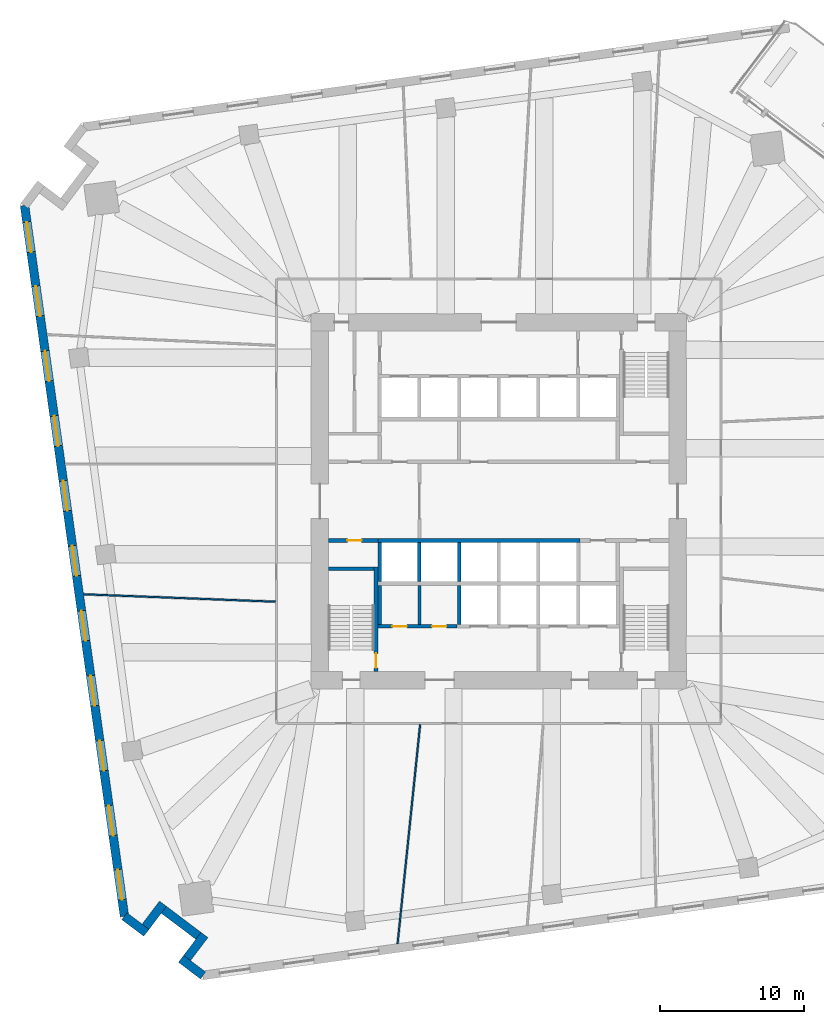
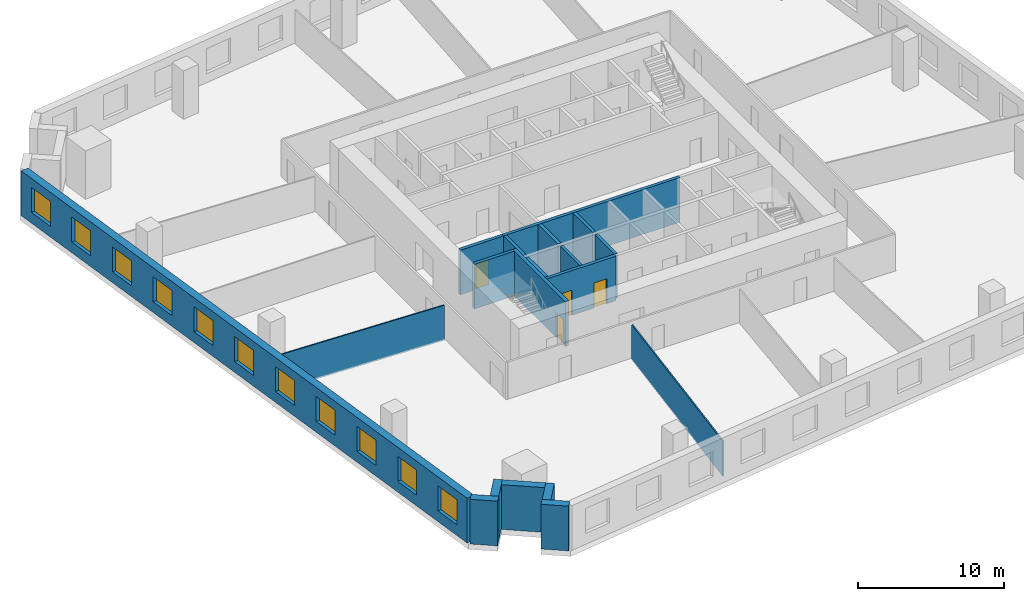
# One storey, part 5 of 12: 19 walls, 11 windows, 4 doors, 15 openings.
"""IFC4 building model written with IfcOpenShell, lengths in metres."""

from ifc_helpers import new_model, si_unit, direction, frame, frame_2d, origin, place, context, subcontext, project, spatial, rectangle, extrude, material, layer, layer_set, type_object, element, fill, save


model = new_model("IFC4")

# Units and contexts
model_context = context("Model", 3, precision=1e-05, world=origin(), true_north=direction((0.0, 1.0)))
body_context = subcontext(model_context, "Body", "Model", "MODEL_VIEW")
ifc_project = project(units=[si_unit("LENGTHUNIT", "METRE"), si_unit("AREAUNIT", "SQUARE_METRE"), si_unit("VOLUMEUNIT", "CUBIC_METRE"), si_unit("PLANEANGLEUNIT", "RADIAN"), si_unit("MASSUNIT", "GRAM", prefix="KILO")], contexts=[model_context])

# Site, building, storey
site_placement = place(None, origin())
site = spatial("IfcSite", under=ifc_project, at=site_placement, CompositionType="ELEMENT")
building_placement = place(site_placement, origin())
building = spatial("IfcBuilding", under=site, at=building_placement, Name="Dilmun Exchange Tower", CompositionType="ELEMENT")
storey_placement = place(building_placement, frame((0.0, 0.0, 55.5)))
storey = spatial("IfcBuildingStorey", under=building, at=storey_placement, Name="L12", CompositionType="ELEMENT", Elevation=55.5)

# Wall
ifc_material_1 = material(Name="Concrete C40/50", Category="concrete")
ifc_layer_1 = layer(ifc_material_1, 0.199951171875)
ifc_layer_set_1 = layer_set([ifc_layer_1], Name="Concrete C40/50")
wall_type_1 = type_object("IfcWallType", Name="Core partition wall 200", PredefinedType="PARTITIONING", material=ifc_layer_set_1)
wall_1_placement = place(storey_placement, frame((-5.5, -8.544921875, 0.0), z_axis=(0.0, 0.0, 1.0), x_axis=(0.0, 1.0, 0.0)))
element("IfcWall", 1, at=wall_1_placement, inside=storey, type_object=wall_type_1, Name="L12 core partition wall 04", PredefinedType="PARTITIONING", context=body_context, shape_type="SweptSolid", body=[
    extrude(rectangle(XDim=2.68994140625, YDim=0.199951171875, at=frame_2d((1.344970703125, 0.0))), origin(), (0.0, 0.0, 1.0), 3.75),
])

# Wall, openings, doors
ifc_layer_2 = layer(ifc_material_1, 0.25)
ifc_layer_set_2 = layer_set([ifc_layer_2], Name="Concrete C40/50")
wall_type_2 = type_object("IfcWallType", Name="Core partition wall 250", PredefinedType="PARTITIONING", material=ifc_layer_set_2)
wall_2_placement = place(storey_placement, frame((-8.3701171875, -8.675048828125, 0.0), z_axis=(0.0, 0.0, 1.0), x_axis=(1.0, 0.0, 0.0)))
wall_2 = element("IfcWall", 2, at=wall_2_placement, inside=storey, type_object=wall_type_2, Name="L12 core partition wall 02", PredefinedType="PARTITIONING", context=body_context, shape_type="SweptSolid", body=[
    extrude(rectangle(XDim=5.490234375, YDim=0.25, at=frame_2d((2.7451171875, 0.0))), origin(), (0.0, 0.0, 1.0), 3.75),
])
opening_1_placement = place(wall_2_placement, frame((0.9951171875, 0.0, 0.0)))
opening_1 = element("IfcOpeningElement", 3, at=opening_1_placement, cuts=wall_2, Name="Opening CD4", PredefinedType="OPENING", context=body_context, shape_type="SweptSolid", body=[
    extrude(rectangle(XDim=1.0, YDim=2.10009765625, at=frame_2d((0.5, 1.050048828125))), frame((0.0, 0.135009765625, 0.0), z_axis=(0.0, -1.0, 0.0), x_axis=(1.0, 0.0, 0.0)), (0.0, 0.0, 1.0), 0.27001953125),
])
opening_2_placement = place(wall_2_placement, frame((3.7451171875, 0.0, 0.0)))
opening_2 = element("IfcOpeningElement", 4, at=opening_2_placement, cuts=wall_2, Name="Opening CD4", PredefinedType="OPENING", context=body_context, shape_type="SweptSolid", body=[
    extrude(rectangle(XDim=1.0, YDim=2.10009765625, at=frame_2d((0.5, 1.050048828125))), frame((0.0, 0.135009765625, 0.0), z_axis=(0.0, -1.0, 0.0), x_axis=(1.0, 0.0, 0.0)), (0.0, 0.0, 1.0), 0.27001953125),
])
ifc_material_2 = material(Name="Fire-rated steel door set", Category="steel")
door_type = type_object("IfcDoorType", Name="Core room door 1000x2100", OperationType="SINGLE_SWING_LEFT", PredefinedType="DOOR", material=ifc_material_2)
door_1_placement = place(opening_1_placement, origin())
door_1 = element("IfcDoor", 5, at=door_1_placement, inside=storey, type_object=door_type, Name="L12 door Male WC", OperationType="SINGLE_SWING_LEFT", OverallHeight=2.10009765625, OverallWidth=1.0, PredefinedType="DOOR", context=body_context, shape_type="SweptSolid", body=[
    extrude(rectangle(XDim=1.0, YDim=2.10009765625, at=frame_2d((0.5, 1.050048828125))), frame((0.0, 0.02490234375, 0.0), z_axis=(0.0, -1.0, 0.0), x_axis=(1.0, 0.0, 0.0)), (0.0, 0.0, 1.0), 0.050048828125),
])
fill(opening_1, door_1)
door_2_placement = place(opening_2_placement, origin())
door_2 = element("IfcDoor", 6, at=door_2_placement, inside=storey, type_object=door_type, Name="L12 door Female WC", OperationType="SINGLE_SWING_LEFT", OverallHeight=2.10009765625, OverallWidth=1.0, PredefinedType="DOOR", context=body_context, shape_type="SweptSolid", body=[
    extrude(rectangle(XDim=1.0, YDim=2.10009765625, at=frame_2d((0.5, 1.050048828125))), frame((0.0, 0.02490234375, 0.0), z_axis=(0.0, -1.0, 0.0), x_axis=(1.0, 0.0, 0.0)), (0.0, 0.0, 1.0), 0.050048828125),
])
fill(opening_2, door_2)

# Wall
wall_3_placement = place(storey_placement, frame((-8.25, -8.544921875, 0.0), z_axis=(0.0, 0.0, 1.0), x_axis=(0.0, 1.0, 0.0)))
element("IfcWall", 7, at=wall_3_placement, inside=storey, type_object=wall_type_2, Name="L12 core partition wall 03", PredefinedType="PARTITIONING", context=body_context, shape_type="SweptSolid", body=[
    extrude(rectangle(XDim=2.68994140625, YDim=0.25, at=frame_2d((1.344970703125, 0.0))), origin(), (0.0, 0.0, 1.0), 3.75),
])

# Wall, opening, door
wall_4_placement = place(storey_placement, frame((-11.794921875, -2.72509765625, 0.0), z_axis=(0.0, 0.0, 1.0), x_axis=(1.0, 0.0, 0.0)))
wall_4 = element("IfcWall", 8, at=wall_4_placement, inside=storey, type_object=wall_type_2, Name="L12 core partition wall 06", PredefinedType="PARTITIONING", context=body_context, shape_type="SweptSolid", body=[
    extrude(rectangle(XDim=3.4150390625, YDim=0.25, at=frame_2d((1.70751953125, 0.0))), origin(), (0.0, 0.0, 1.0), 3.75),
])
opening_3_placement = place(wall_4_placement, frame((1.294921875, 0.0, 0.0)))
opening_3 = element("IfcOpeningElement", 9, at=opening_3_placement, cuts=wall_4, Name="Opening CD4", PredefinedType="OPENING", context=body_context, shape_type="SweptSolid", body=[
    extrude(rectangle(XDim=1.0, YDim=2.10009765625, at=frame_2d((0.5, 1.050048828125))), frame((0.0, 0.135009765625, 0.0), z_axis=(0.0, -1.0, 0.0), x_axis=(1.0, 0.0, 0.0)), (0.0, 0.0, 1.0), 0.27001953125),
])
door_3_placement = place(opening_3_placement, origin())
door_3 = element("IfcDoor", 10, at=door_3_placement, inside=storey, type_object=door_type, Name="L12 door Accessible WC", OperationType="SINGLE_SWING_LEFT", OverallHeight=2.10009765625, OverallWidth=1.0, PredefinedType="DOOR", context=body_context, shape_type="SweptSolid", body=[
    extrude(rectangle(XDim=1.0, YDim=2.10009765625, at=frame_2d((0.5, 1.050048828125))), frame((0.0, 0.02490234375, 0.0), z_axis=(0.0, -1.0, 0.0), x_axis=(1.0, 0.0, 0.0)), (0.0, 0.0, 1.0), 0.050048828125),
])
fill(opening_3, door_3)

# Walls
ifc_layer_3 = layer(ifc_material_1, 0.25)
ifc_layer_set_3 = layer_set([ifc_layer_3], Name="Concrete C40/50")
wall_type_3 = type_object("IfcWallType", Name="Lift shaft wall 250", PredefinedType="SOLIDWALL", material=ifc_layer_set_3)
wall_5_placement = place(storey_placement, frame((-8.375, -2.72509765625, 0.0), z_axis=(0.0, 0.0, 1.0), x_axis=(1.0, 0.0, 0.0)))
element("IfcWall", 11, at=wall_5_placement, inside=storey, type_object=wall_type_3, Name="L12 lift shaft front wall S1", PredefinedType="SOLIDWALL", context=body_context, shape_type="SweptSolid", body=[
    extrude(rectangle(XDim=14.0, YDim=0.25, at=frame_2d((7.0, 0.0))), origin(), (0.0, 0.0, 1.0), 3.75),
])
for number, where, z_axis, x_axis, name in (
    (12, (-8.25, -5.550048828125, 0.0), (0.0, 0.0, 1.0), (0.0, 1.0, 0.0), "L12 lift shaft divider S10"),
    (13, (-5.5, -5.550048828125, 0.0), (0.0, 0.0, 1.0), (0.0, 1.0, 0.0), "L12 lift shaft divider S11"),
    (14, (-2.75, -5.550048828125, 0.0), (0.0, 0.0, 1.0), (0.0, 1.0, 0.0), "L12 lift shaft divider S12"),
    (15, (-2.75, -8.550048828125, 0.0), (0.0, 0.0, 1.0), (0.0, 1.0, 0.0), "L12 lift shaft divider S22"),
):
    element("IfcWall", number, at=place(storey_placement, frame(where, z_axis=z_axis, x_axis=x_axis)), inside=storey, type_object=wall_type_3, Name=name, PredefinedType="SOLIDWALL", context=body_context, shape_type="SweptSolid", body=[
        extrude(rectangle(XDim=2.699951171875, YDim=0.25, at=frame_2d((1.35009765625, 0.0))), origin(), (0.0, 0.0, 1.0), 3.75),
    ])
ifc_material_3 = material(Name="Partition 100")
ifc_layer_4 = layer(ifc_material_3, 0.10009765625)
ifc_layer_set_4 = layer_set([ifc_layer_4], Name="Partition 100")
wall_type_4 = type_object("IfcWallType", Name="Partition 100", PredefinedType="PARTITIONING", material=ifc_layer_set_4)
wall_6_placement = place(storey_placement, frame((-28.780517578125, -6.44970703125, 0.0), z_axis=(0.0, 0.0, 1.0), x_axis=(0.999250464025, -0.038710594758, 0.0)))
element("IfcWall", 16, at=wall_6_placement, inside=storey, type_object=wall_type_4, Name="Partition", PredefinedType="PARTITIONING", context=body_context, shape_type="SweptSolid", body=[
    extrude(rectangle(XDim=13.313720703125, YDim=0.10009765625, at=frame_2d((6.65673828125, 0.0))), origin(), (0.0, 0.0, 1.0), 2.949951171875),
])
wall_7_placement = place(storey_placement, frame((-7.014404296875, -30.672607421875, 0.0), z_axis=(0.0, 0.0, 1.0), x_axis=(0.102353755437, 0.994748062953, 0.0)))
element("IfcWall", 17, at=wall_7_placement, inside=storey, type_object=wall_type_4, Name="Partition", PredefinedType="PARTITIONING", context=body_context, shape_type="SweptSolid", body=[
    extrude(rectangle(XDim=15.27294921875, YDim=0.10009765625, at=frame_2d((7.636474609375, 0.0))), origin(), (0.0, 0.0, 1.0), 2.949951171875),
])

# Wall, openings, windows
ifc_material_4 = material(Name="Precast concrete C50/60", Category="concrete")
ifc_layer_5 = layer(ifc_material_4, 0.60009765625)
ifc_layer_set_5 = layer_set([ifc_layer_5], Name="Precast concrete C50/60")
wall_type_5 = type_object("IfcWallType", Name="Precast stone-clad wall 600", PredefinedType="STANDARD", material=ifc_layer_set_5)
wall_8_placement = place(storey_placement, frame((-32.873046875, 20.500244140625, 0.0), z_axis=(0.0, 0.0, 1.0), x_axis=(0.139173101431, -0.990268068675, 0.0)))
wall_8 = element("IfcWall", 18, at=wall_8_placement, inside=storey, type_object=wall_type_5, Name="Facade wall L12-09", PredefinedType="STANDARD", context=body_context, shape_type="SweptSolid", body=[
    extrude(rectangle(XDim=49.75146484375, YDim=0.60009765625, at=frame_2d((24.875732421875, 0.0))), origin(), (0.0, 0.0, 1.0), 3.75),
])
opening_4_placement = place(wall_8_placement, frame((1.16064453125, 0.0, 0.89990234375)))
opening_4 = element("IfcOpeningElement", 19, at=opening_4_placement, cuts=wall_8, Name="Opening W210-210", PredefinedType="OPENING", context=body_context, shape_type="SweptSolid", body=[
    extrude(rectangle(XDim=2.10009765625, YDim=2.10009765625, at=frame_2d((1.050048828125, 1.050048828125))), frame((0.0, 0.31005859375, 0.0), z_axis=(0.0, -1.0, 0.0), x_axis=(1.0, 0.0, 0.0)), (0.0, 0.0, 1.0), 0.6201171875),
])
opening_5_placement = place(wall_8_placement, frame((5.643798828125, 0.0, 0.89990234375)))
opening_5 = element("IfcOpeningElement", 20, at=opening_5_placement, cuts=wall_8, Name="Opening W210-210", PredefinedType="OPENING", context=body_context, shape_type="SweptSolid", body=[
    extrude(rectangle(XDim=2.10009765625, YDim=2.10009765625, at=frame_2d((1.050048828125, 1.050048828125))), frame((0.0, 0.31005859375, 0.0), z_axis=(0.0, -1.0, 0.0), x_axis=(1.0, 0.0, 0.0)), (0.0, 0.0, 1.0), 0.6201171875),
])
opening_6_placement = place(wall_8_placement, frame((10.189453125, 0.0, 0.89990234375)))
opening_6 = element("IfcOpeningElement", 21, at=opening_6_placement, cuts=wall_8, Name="Opening W210-210", PredefinedType="OPENING", context=body_context, shape_type="SweptSolid", body=[
    extrude(rectangle(XDim=2.10009765625, YDim=2.10009765625, at=frame_2d((1.050048828125, 1.050048828125))), frame((0.0, 0.31005859375, 0.0), z_axis=(0.0, -1.0, 0.0), x_axis=(1.0, 0.0, 0.0)), (0.0, 0.0, 1.0), 0.6201171875),
])
opening_7_placement = place(wall_8_placement, frame((14.73486328125, 0.0, 0.89990234375)))
opening_7 = element("IfcOpeningElement", 22, at=opening_7_placement, cuts=wall_8, Name="Opening W210-210", PredefinedType="OPENING", context=body_context, shape_type="SweptSolid", body=[
    extrude(rectangle(XDim=2.10009765625, YDim=2.10009765625, at=frame_2d((1.050048828125, 1.050048828125))), frame((0.0, 0.31005859375, 0.0), z_axis=(0.0, -1.0, 0.0), x_axis=(1.0, 0.0, 0.0)), (0.0, 0.0, 1.0), 0.6201171875),
])
opening_8_placement = place(wall_8_placement, frame((19.2802734375, 0.0, 0.89990234375)))
opening_8 = element("IfcOpeningElement", 23, at=opening_8_placement, cuts=wall_8, Name="Opening W210-210", PredefinedType="OPENING", context=body_context, shape_type="SweptSolid", body=[
    extrude(rectangle(XDim=2.10009765625, YDim=2.10009765625, at=frame_2d((1.050048828125, 1.050048828125))), frame((0.0, 0.31005859375, 0.0), z_axis=(0.0, -1.0, 0.0), x_axis=(1.0, 0.0, 0.0)), (0.0, 0.0, 1.0), 0.6201171875),
])
opening_9_placement = place(wall_8_placement, frame((23.82568359375, 0.0, 0.89990234375)))
opening_9 = element("IfcOpeningElement", 24, at=opening_9_placement, cuts=wall_8, Name="Opening W210-210", PredefinedType="OPENING", context=body_context, shape_type="SweptSolid", body=[
    extrude(rectangle(XDim=2.10009765625, YDim=2.10009765625, at=frame_2d((1.050048828125, 1.050048828125))), frame((0.0, 0.31005859375, 0.0), z_axis=(0.0, -1.0, 0.0), x_axis=(1.0, 0.0, 0.0)), (0.0, 0.0, 1.0), 0.6201171875),
])
opening_10_placement = place(wall_8_placement, frame((28.37109375, 0.0, 0.89990234375)))
opening_10 = element("IfcOpeningElement", 25, at=opening_10_placement, cuts=wall_8, Name="Opening W210-210", PredefinedType="OPENING", context=body_context, shape_type="SweptSolid", body=[
    extrude(rectangle(XDim=2.10009765625, YDim=2.10009765625, at=frame_2d((1.050048828125, 1.050048828125))), frame((0.0, 0.31005859375, 0.0), z_axis=(0.0, -1.0, 0.0), x_axis=(1.0, 0.0, 0.0)), (0.0, 0.0, 1.0), 0.6201171875),
])
opening_11_placement = place(wall_8_placement, frame((32.91650390625, 0.0, 0.89990234375)))
opening_11 = element("IfcOpeningElement", 26, at=opening_11_placement, cuts=wall_8, Name="Opening W210-210", PredefinedType="OPENING", context=body_context, shape_type="SweptSolid", body=[
    extrude(rectangle(XDim=2.10009765625, YDim=2.10009765625, at=frame_2d((1.050048828125, 1.050048828125))), frame((0.0, 0.31005859375, 0.0), z_axis=(0.0, -1.0, 0.0), x_axis=(1.0, 0.0, 0.0)), (0.0, 0.0, 1.0), 0.6201171875),
])
opening_12_placement = place(wall_8_placement, frame((37.462158203125, 0.0, 0.89990234375)))
opening_12 = element("IfcOpeningElement", 27, at=opening_12_placement, cuts=wall_8, Name="Opening W210-210", PredefinedType="OPENING", context=body_context, shape_type="SweptSolid", body=[
    extrude(rectangle(XDim=2.10009765625, YDim=2.10009765625, at=frame_2d((1.050048828125, 1.050048828125))), frame((0.0, 0.31005859375, 0.0), z_axis=(0.0, -1.0, 0.0), x_axis=(1.0, 0.0, 0.0)), (0.0, 0.0, 1.0), 0.6201171875),
])
opening_13_placement = place(wall_8_placement, frame((42.007568359375, 0.0, 0.89990234375)))
opening_13 = element("IfcOpeningElement", 28, at=opening_13_placement, cuts=wall_8, Name="Opening W210-210", PredefinedType="OPENING", context=body_context, shape_type="SweptSolid", body=[
    extrude(rectangle(XDim=2.10009765625, YDim=2.10009765625, at=frame_2d((1.050048828125, 1.050048828125))), frame((0.0, 0.31005859375, 0.0), z_axis=(0.0, -1.0, 0.0), x_axis=(1.0, 0.0, 0.0)), (0.0, 0.0, 1.0), 0.6201171875),
])
opening_14_placement = place(wall_8_placement, frame((46.490966796875, 0.0, 0.89990234375)))
opening_14 = element("IfcOpeningElement", 29, at=opening_14_placement, cuts=wall_8, Name="Opening W210-210", PredefinedType="OPENING", context=body_context, shape_type="SweptSolid", body=[
    extrude(rectangle(XDim=2.10009765625, YDim=2.10009765625, at=frame_2d((1.050048828125, 1.050048828125))), frame((0.0, 0.31005859375, 0.0), z_axis=(0.0, -1.0, 0.0), x_axis=(1.0, 0.0, 0.0)), (0.0, 0.0, 1.0), 0.6201171875),
])
ifc_material_5 = material(Name="Clear low-emissivity glass in aluminium frame", Category="aluminium")
window_type = type_object("IfcWindowType", Name="Punched window 2100 x 2100", PartitioningType="DOUBLE_PANEL_VERTICAL", PredefinedType="WINDOW", material=ifc_material_5)
window_1_placement = place(opening_4_placement, origin())
window_1 = element("IfcWindow", 30, at=window_1_placement, inside=storey, type_object=window_type, Name="Window 10.1", OverallHeight=2.10009765625, OverallWidth=2.10009765625, PartitioningType="SINGLE_PANEL", PredefinedType="WINDOW", context=body_context, shape_type="SweptSolid", body=[
    extrude(rectangle(XDim=2.10009765625, YDim=2.10009765625, at=frame_2d((1.050048828125, 1.050048828125))), frame((0.0, 0.030029296875, 0.0), z_axis=(0.0, -1.0, 0.0), x_axis=(1.0, 0.0, 0.0)), (0.0, 0.0, 1.0), 0.06005859375),
])
fill(opening_4, window_1)
window_2_placement = place(opening_5_placement, origin())
window_2 = element("IfcWindow", 31, at=window_2_placement, inside=storey, type_object=window_type, Name="Window 10.2", OverallHeight=2.10009765625, OverallWidth=2.10009765625, PartitioningType="SINGLE_PANEL", PredefinedType="WINDOW", context=body_context, shape_type="SweptSolid", body=[
    extrude(rectangle(XDim=2.10009765625, YDim=2.10009765625, at=frame_2d((1.050048828125, 1.050048828125))), frame((0.0, 0.030029296875, 0.0), z_axis=(0.0, -1.0, 0.0), x_axis=(1.0, 0.0, 0.0)), (0.0, 0.0, 1.0), 0.06005859375),
])
fill(opening_5, window_2)
window_3_placement = place(opening_6_placement, origin())
window_3 = element("IfcWindow", 32, at=window_3_placement, inside=storey, type_object=window_type, Name="Window 10.3", OverallHeight=2.10009765625, OverallWidth=2.10009765625, PartitioningType="SINGLE_PANEL", PredefinedType="WINDOW", context=body_context, shape_type="SweptSolid", body=[
    extrude(rectangle(XDim=2.10009765625, YDim=2.10009765625, at=frame_2d((1.050048828125, 1.050048828125))), frame((0.0, 0.030029296875, 0.0), z_axis=(0.0, -1.0, 0.0), x_axis=(1.0, 0.0, 0.0)), (0.0, 0.0, 1.0), 0.06005859375),
])
fill(opening_6, window_3)
window_4_placement = place(opening_7_placement, origin())
window_4 = element("IfcWindow", 33, at=window_4_placement, inside=storey, type_object=window_type, Name="Window 10.4", OverallHeight=2.10009765625, OverallWidth=2.10009765625, PartitioningType="SINGLE_PANEL", PredefinedType="WINDOW", context=body_context, shape_type="SweptSolid", body=[
    extrude(rectangle(XDim=2.10009765625, YDim=2.10009765625, at=frame_2d((1.050048828125, 1.050048828125))), frame((0.0, 0.030029296875, 0.0), z_axis=(0.0, -1.0, 0.0), x_axis=(1.0, 0.0, 0.0)), (0.0, 0.0, 1.0), 0.06005859375),
])
fill(opening_7, window_4)
window_5_placement = place(opening_8_placement, origin())
window_5 = element("IfcWindow", 34, at=window_5_placement, inside=storey, type_object=window_type, Name="Window 10.5", OverallHeight=2.10009765625, OverallWidth=2.10009765625, PartitioningType="SINGLE_PANEL", PredefinedType="WINDOW", context=body_context, shape_type="SweptSolid", body=[
    extrude(rectangle(XDim=2.10009765625, YDim=2.10009765625, at=frame_2d((1.050048828125, 1.050048828125))), frame((0.0, 0.030029296875, 0.0), z_axis=(0.0, -1.0, 0.0), x_axis=(1.0, 0.0, 0.0)), (0.0, 0.0, 1.0), 0.06005859375),
])
fill(opening_8, window_5)
window_6_placement = place(opening_9_placement, origin())
window_6 = element("IfcWindow", 35, at=window_6_placement, inside=storey, type_object=window_type, Name="Window 10.6", OverallHeight=2.10009765625, OverallWidth=2.10009765625, PartitioningType="SINGLE_PANEL", PredefinedType="WINDOW", context=body_context, shape_type="SweptSolid", body=[
    extrude(rectangle(XDim=2.10009765625, YDim=2.10009765625, at=frame_2d((1.050048828125, 1.050048828125))), frame((0.0, 0.030029296875, 0.0), z_axis=(0.0, -1.0, 0.0), x_axis=(1.0, 0.0, 0.0)), (0.0, 0.0, 1.0), 0.06005859375),
])
fill(opening_9, window_6)
window_7_placement = place(opening_10_placement, origin())
window_7 = element("IfcWindow", 36, at=window_7_placement, inside=storey, type_object=window_type, Name="Window 10.7", OverallHeight=2.10009765625, OverallWidth=2.10009765625, PartitioningType="SINGLE_PANEL", PredefinedType="WINDOW", context=body_context, shape_type="SweptSolid", body=[
    extrude(rectangle(XDim=2.10009765625, YDim=2.10009765625, at=frame_2d((1.050048828125, 1.050048828125))), frame((0.0, 0.030029296875, 0.0), z_axis=(0.0, -1.0, 0.0), x_axis=(1.0, 0.0, 0.0)), (0.0, 0.0, 1.0), 0.06005859375),
])
fill(opening_10, window_7)
window_8_placement = place(opening_11_placement, origin())
window_8 = element("IfcWindow", 37, at=window_8_placement, inside=storey, type_object=window_type, Name="Window 10.8", OverallHeight=2.10009765625, OverallWidth=2.10009765625, PartitioningType="SINGLE_PANEL", PredefinedType="WINDOW", context=body_context, shape_type="SweptSolid", body=[
    extrude(rectangle(XDim=2.10009765625, YDim=2.10009765625, at=frame_2d((1.050048828125, 1.050048828125))), frame((0.0, 0.030029296875, 0.0), z_axis=(0.0, -1.0, 0.0), x_axis=(1.0, 0.0, 0.0)), (0.0, 0.0, 1.0), 0.06005859375),
])
fill(opening_11, window_8)
window_9_placement = place(opening_12_placement, origin())
window_9 = element("IfcWindow", 38, at=window_9_placement, inside=storey, type_object=window_type, Name="Window 10.9", OverallHeight=2.10009765625, OverallWidth=2.10009765625, PartitioningType="SINGLE_PANEL", PredefinedType="WINDOW", context=body_context, shape_type="SweptSolid", body=[
    extrude(rectangle(XDim=2.10009765625, YDim=2.10009765625, at=frame_2d((1.050048828125, 1.050048828125))), frame((0.0, 0.030029296875, 0.0), z_axis=(0.0, -1.0, 0.0), x_axis=(1.0, 0.0, 0.0)), (0.0, 0.0, 1.0), 0.06005859375),
])
fill(opening_12, window_9)
window_10_placement = place(opening_13_placement, origin())
window_10 = element("IfcWindow", 39, at=window_10_placement, inside=storey, type_object=window_type, Name="Window 10.10", OverallHeight=2.10009765625, OverallWidth=2.10009765625, PartitioningType="SINGLE_PANEL", PredefinedType="WINDOW", context=body_context, shape_type="SweptSolid", body=[
    extrude(rectangle(XDim=2.10009765625, YDim=2.10009765625, at=frame_2d((1.050048828125, 1.050048828125))), frame((0.0, 0.030029296875, 0.0), z_axis=(0.0, -1.0, 0.0), x_axis=(1.0, 0.0, 0.0)), (0.0, 0.0, 1.0), 0.06005859375),
])
fill(opening_13, window_10)
window_11_placement = place(opening_14_placement, origin())
window_11 = element("IfcWindow", 40, at=window_11_placement, inside=storey, type_object=window_type, Name="Window 10.11", OverallHeight=2.10009765625, OverallWidth=2.10009765625, PartitioningType="SINGLE_PANEL", PredefinedType="WINDOW", context=body_context, shape_type="SweptSolid", body=[
    extrude(rectangle(XDim=2.10009765625, YDim=2.10009765625, at=frame_2d((1.050048828125, 1.050048828125))), frame((0.0, 0.030029296875, 0.0), z_axis=(0.0, -1.0, 0.0), x_axis=(1.0, 0.0, 0.0)), (0.0, 0.0, 1.0), 0.06005859375),
])
fill(opening_14, window_11)

# Walls
wall_9_placement = place(storey_placement, frame((-25.948974609375, -28.76708984375, 0.0), z_axis=(0.0, 0.0, 1.0), x_axis=(0.798649012397, -0.601797104511, 0.0)))
element("IfcWall", 41, at=wall_9_placement, inside=storey, type_object=wall_type_5, Name="Facade wall L12-10", PredefinedType="STANDARD", context=body_context, shape_type="SweptSolid", body=[
    extrude(rectangle(XDim=1.9111328125, YDim=0.60009765625, at=frame_2d((0.95556640625, 0.0))), origin(), (0.0, 0.0, 1.0), 3.75),
])
wall_10_placement = place(storey_placement, frame((-24.481689453125, -29.497314453125, 0.0), z_axis=(0.0, 0.0, 1.0), x_axis=(0.601853623896, 0.798606420838, 0.0)))
element("IfcWall", 42, at=wall_10_placement, inside=storey, type_object=wall_type_5, Name="Facade wall L12-11", PredefinedType="STANDARD", context=body_context, shape_type="SweptSolid", body=[
    extrude(rectangle(XDim=2.000244140625, YDim=0.60009765625, at=frame_2d((1.0, 0.0))), origin(), (0.0, 0.0, 1.0), 3.75),
])
wall_11_placement = place(storey_placement, frame((-23.218994140625, -28.320068359375, 0.0), z_axis=(0.0, 0.0, 1.0), x_axis=(0.798650351182, -0.601795327796, 0.0)))
element("IfcWall", 43, at=wall_11_placement, inside=storey, type_object=wall_type_5, Name="Facade wall L12-12", PredefinedType="STANDARD", context=body_context, shape_type="SweptSolid", body=[
    extrude(rectangle(XDim=3.0, YDim=0.60009765625, at=frame_2d((1.5, 0.0))), origin(), (0.0, 0.0, 1.0), 3.75),
])
wall_12_placement = place(storey_placement, frame((-20.40283203125, -30.06640625, 0.0), z_axis=(0.0, 0.0, 1.0), x_axis=(-0.601775771976, -0.798665086418, 0.0)))
element("IfcWall", 44, at=wall_12_placement, inside=storey, type_object=wall_type_5, Name="Facade wall L12-13", PredefinedType="STANDARD", context=body_context, shape_type="SweptSolid", body=[
    extrude(rectangle(XDim=2.0, YDim=0.60009765625, at=frame_2d((1.0, 0.0))), origin(), (0.0, 0.0, 1.0), 3.75),
])
wall_13_placement = place(storey_placement, frame((-22.026611328125, -31.722900390625, 0.0), z_axis=(0.0, 0.0, 1.0), x_axis=(0.798649012397, -0.601797104511, 0.0)))
element("IfcWall", 45, at=wall_13_placement, inside=storey, type_object=wall_type_5, Name="Facade wall L12-14", PredefinedType="STANDARD", context=body_context, shape_type="SweptSolid", body=[
    extrude(rectangle(XDim=1.9111328125, YDim=0.60009765625, at=frame_2d((0.95556640625, 0.0))), origin(), (0.0, 0.0, 1.0), 3.75),
])
ifc_layer_6 = layer(ifc_material_1, 0.25)
ifc_layer_set_6 = layer_set([ifc_layer_6], Name="Concrete C40/50")
wall_type_6 = type_object("IfcWallType", Name="Stair end wall 250", PredefinedType="SOLIDWALL", material=ifc_layer_set_6)
wall_14_placement = place(storey_placement, frame((-8.64990234375, -4.675048828125, 0.0), z_axis=(0.0, 0.0, 1.0), x_axis=(-1.0, 0.0, 0.0)))
element("IfcWall", 46, at=wall_14_placement, inside=storey, type_object=wall_type_6, Name="L12 ST2 far wall", PredefinedType="SOLIDWALL", context=body_context, shape_type="SweptSolid", body=[
    extrude(rectangle(XDim=3.150146484375, YDim=0.25, at=frame_2d((1.5751953125, 0.0))), origin(), (0.0, 0.0, 1.0), 3.75),
])

# Wall, opening, door
ifc_layer_7 = layer(ifc_material_1, 0.27490234375)
ifc_layer_set_7 = layer_set([ifc_layer_7], Name="Concrete C40/50")
wall_type_7 = type_object("IfcWallType", Name="Stair wall 275", PredefinedType="SOLIDWALL", material=ifc_layer_set_7)
wall_15_placement = place(storey_placement, frame((-8.512451171875, -4.550048828125, 0.0), z_axis=(0.0, 0.0, 1.0), x_axis=(0.0, -1.0, 0.0)))
wall_15 = element("IfcWall", 47, at=wall_15_placement, inside=storey, type_object=wall_type_7, Name="L12 ST2 wall to lift block", PredefinedType="SOLIDWALL", context=body_context, shape_type="SweptSolid", body=[
    extrude(rectangle(XDim=7.25, YDim=0.27490234375, at=frame_2d((3.625, 0.0))), origin(), (0.0, 0.0, 1.0), 3.75),
])
opening_15_placement = place(wall_15_placement, frame((6.0, 0.0, 0.0)))
opening_15 = element("IfcOpeningElement", 48, at=opening_15_placement, cuts=wall_15, Name="Opening CD4", PredefinedType="OPENING", context=body_context, shape_type="SweptSolid", body=[
    extrude(rectangle(XDim=1.0, YDim=2.10009765625, at=frame_2d((0.5, 1.050048828125))), frame((0.0, 0.1474609375, 0.0), z_axis=(0.0, -1.0, 0.0), x_axis=(1.0, 0.0, 0.0)), (0.0, 0.0, 1.0), 0.294921875),
])
door_4_placement = place(opening_15_placement, origin())
door_4 = element("IfcDoor", 49, at=door_4_placement, inside=storey, type_object=door_type, Name="L12 door ST2 from lobby", OperationType="SINGLE_SWING_LEFT", OverallHeight=2.10009765625, OverallWidth=1.0, PredefinedType="DOOR", context=body_context, shape_type="SweptSolid", body=[
    extrude(rectangle(XDim=1.0, YDim=2.10009765625, at=frame_2d((0.5, 1.050048828125))), frame((0.0, 0.02490234375, 0.0), z_axis=(0.0, -1.0, 0.0), x_axis=(1.0, 0.0, 0.0)), (0.0, 0.0, 1.0), 0.050048828125),
])
fill(opening_15, door_4)

save(model, "model.ifc")
